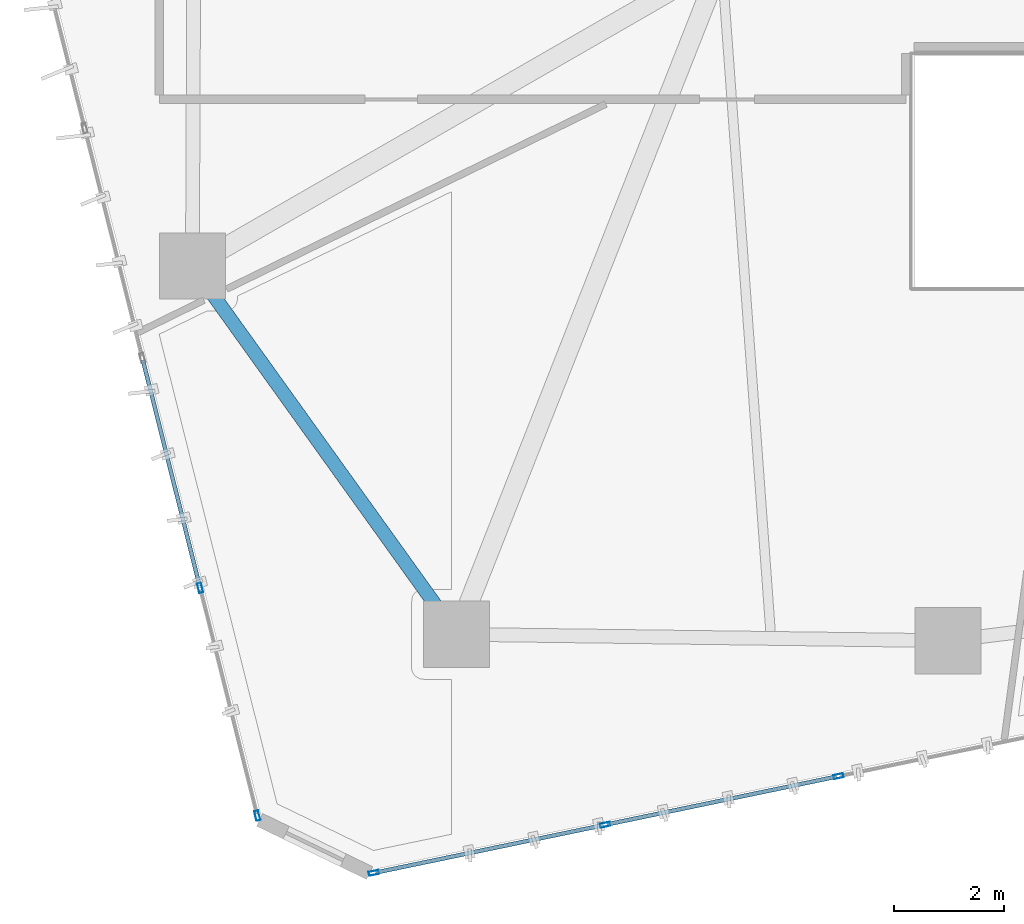
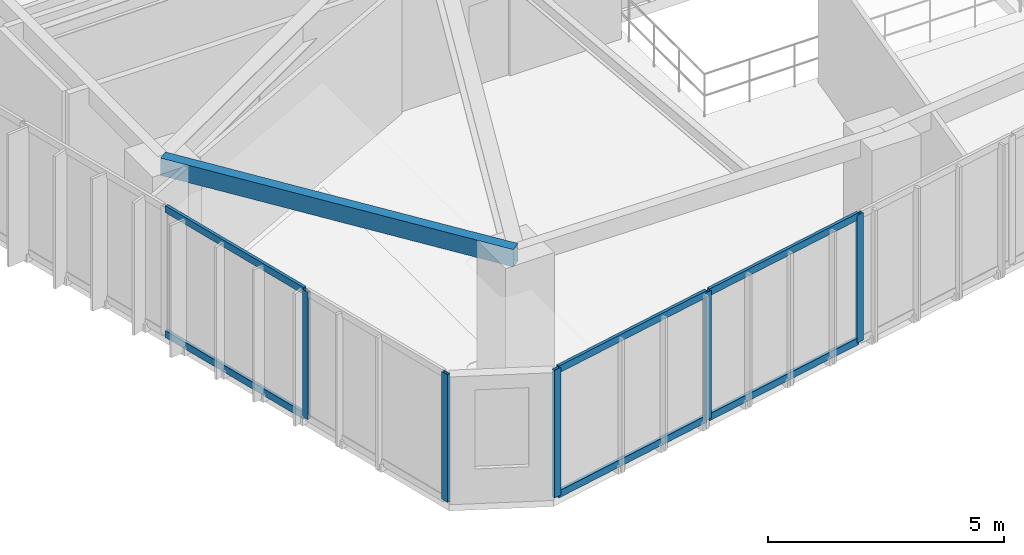
# One storey, part 2 of 22: 11 members, 1 beam, 2 elements without a shape of their own.
"""IFC4 building model written with IfcOpenShell, lengths in metres."""

from ifc_helpers import new_model, si_unit, direction, frame, origin, origin_2d, place, context, subcontext, project, spatial, hollow_rectangle, extrude, source, transform, mapped, material, layer, layer_set, material_profile, profile_set, type_object, type_shapes, element, aggregate, save


model = new_model("IFC4")

# Units and contexts
model_context = context("Model", 3, precision=1e-05, world=origin(), true_north=direction((0.0, 1.0)))
body_context = subcontext(model_context, "Body", "Model", "MODEL_VIEW")
ifc_project = project(units=[si_unit("LENGTHUNIT", "METRE"), si_unit("AREAUNIT", "SQUARE_METRE"), si_unit("VOLUMEUNIT", "CUBIC_METRE"), si_unit("PLANEANGLEUNIT", "RADIAN"), si_unit("MASSUNIT", "GRAM", prefix="KILO")], contexts=[model_context])

# Site, building, storey
site_placement = place(None, origin())
site = spatial("IfcSite", under=ifc_project, at=site_placement, CompositionType="ELEMENT")
building_placement = place(site_placement, origin())
building = spatial("IfcBuilding", under=site, at=building_placement, Name="Talar Marvaseh", CompositionType="ELEMENT")
storey_placement = place(building_placement, frame((0.0, 0.0, 125.39990234375)))
storey = spatial("IfcBuildingStorey", under=building, at=storey_placement, Name="L32", CompositionType="ELEMENT", Elevation=125.39990234375)

# Beam
ifc_material_1 = material(Name="Steel S355", Category="steel")
ifc_material_profile_1 = material_profile(ifc_material_1, hollow_rectangle(XDim=0.25, YDim=0.449951171875, WallThickness=0.01611328125, at=origin_2d()), Name="RHS450x250x16")
ifc_profile_set_1 = profile_set([ifc_material_profile_1], Name="Steel S355")
beam_type = type_object("IfcBeamType", Name="Zone 2 Perimeter Spandrel Beam RHS450x250x16", PredefinedType="SPANDREL", material=ifc_profile_set_1)
beam_placement = place(storey_placement, frame((13.89111328125, 13.299072265625, 3.085205078125), z_axis=(-0.582852871994, 0.812577706812, 0.0), x_axis=(-0.812577706812, -0.582852871994, 0.0)))
element("IfcBeam", 1, at=beam_placement, inside=storey, type_object=beam_type, Name="L32 Zone 2 Perimeter Spandrel Beam RHS450x250x16", PredefinedType="SPANDREL", context=body_context, shape_type="SweptSolid", body=[
    extrude(hollow_rectangle(XDim=0.25, YDim=0.449951171875, WallThickness=0.01611328125, at=origin_2d()), origin(), (0.0, 0.0, 1.0), 8.21826171875),
])

# Curtain wall, members
ifc_material_2 = material(Name="Architectural Aluminium", Category="aluminium")
ifc_layer = layer(ifc_material_2, 0.199951171875)
ifc_layer_set = layer_set([ifc_layer], Name="Architectural Aluminium")
curtain_wall_type = type_object("IfcCurtainWallType", Name="Unitised Acoustic Library Curtain Wall Z2", PredefinedType="NOTDEFINED", material=ifc_layer_set)
curtain_wall_1_placement = place(storey_placement, origin())
curtain_wall_1 = element("IfcCurtainWall", 2, at=curtain_wall_1_placement, inside=storey, type_object=curtain_wall_type, Name="L32 Unitised Acoustic Library Curtain Wall Z2", PredefinedType="NOTDEFINED")
ifc_material_profile_2 = material_profile(ifc_material_2, hollow_rectangle(XDim=0.074951171875, YDim=0.179931640625, WallThickness=0.0048828125, at=origin_2d()), Name="RHS180x75x5")
ifc_profile_set_2 = profile_set([ifc_material_profile_2], Name="Architectural Aluminium")
member_type_1 = type_object("IfcMemberType", Name="Unitised Curtain Wall Standard Mullion RHS180x75x5", PredefinedType="MULLION", material=ifc_profile_set_2)
shared_shape_1 = source(origin(), body_context, "Body", "SweptSolid", [
    extrude(hollow_rectangle(XDim=0.074951171875, YDim=0.179931640625, WallThickness=0.0048828125, at=origin_2d()), origin(), (0.0, 0.0, 1.0), 3.31005859375),
])
type_shapes(member_type_1, [shared_shape_1])
member_1_placement = place(storey_placement, frame((10.279052734375, 10.009521484375, 0.0), z_axis=(0.0, 0.0, 1.0), x_axis=(-0.96988842573, -0.243549669748, 0.0)))
member_1 = element("IfcMember", 3, at=member_1_placement, type_object=member_type_1, Name="CW-Z2 mullion 1", PredefinedType="MULLION", context=body_context, shape_type="MappedRepresentation", body=[
    mapped(shared_shape_1, transform((0.0, 0.0, 0.0), x_axis=(1.0, 0.0, 0.0), y_axis=(0.0, 1.0, 0.0), z_axis=(0.0, 0.0, 1.0), scale=1.0)),
])
member_2_placement = place(storey_placement, frame((9.241455078125, 14.1416015625, 0.0), z_axis=(0.0, 0.0, 1.0), x_axis=(-0.96988842573, -0.243549669748, 0.0)))
member_2 = element("IfcMember", 4, at=member_2_placement, type_object=member_type_1, Name="CW-Z2 mullion 2", PredefinedType="MULLION", context=body_context, shape_type="MappedRepresentation", body=[
    mapped(shared_shape_1, transform((0.0, 0.0, 0.0), x_axis=(1.0, 0.0, 0.0), y_axis=(0.0, 1.0, 0.0), z_axis=(0.0, 0.0, 1.0), scale=1.0)),
])

curtain_wall_2_placement = place(storey_placement, origin())
curtain_wall_2 = element("IfcCurtainWall", 5, at=curtain_wall_2_placement, inside=storey, type_object=curtain_wall_type, Name="L32 Unitised Acoustic Library Curtain Wall Z2", PredefinedType="NOTDEFINED")
member_3_placement = place(storey_placement, frame((20.8193359375, 10.7255859375, 0.0), z_axis=(0.0, 0.0, 1.0), x_axis=(0.203791692408, -0.979014272677, 0.0)))
member_3 = element("IfcMember", 6, at=member_3_placement, type_object=member_type_1, Name="CW-Z2 mullion 4", PredefinedType="MULLION", context=body_context, shape_type="MappedRepresentation", body=[
    mapped(shared_shape_1, transform((0.0, 0.0, 0.0), x_axis=(1.0, 0.0, 0.0), y_axis=(0.0, 1.0, 0.0), z_axis=(0.0, 0.0, 1.0), scale=1.0)),
])
member_4_placement = place(storey_placement, frame((16.58642578125, 9.844482421875, 0.0), z_axis=(0.0, 0.0, 1.0), x_axis=(0.203791692408, -0.979014272677, 0.0)))
member_4 = element("IfcMember", 7, at=member_4_placement, type_object=member_type_1, Name="CW-Z2 mullion 5", PredefinedType="MULLION", context=body_context, shape_type="MappedRepresentation", body=[
    mapped(shared_shape_1, transform((0.0, 0.0, 0.0), x_axis=(1.0, 0.0, 0.0), y_axis=(0.0, 1.0, 0.0), z_axis=(0.0, 0.0, 1.0), scale=1.0)),
])
member_5_placement = place(storey_placement, frame((12.390380859375, 8.970947265625, 0.0), z_axis=(0.0, 0.0, 1.0), x_axis=(0.203791692408, -0.979014272677, 0.0)))
member_5 = element("IfcMember", 8, at=member_5_placement, type_object=member_type_1, Name="CW-Z2 mullion 6", PredefinedType="MULLION", context=body_context, shape_type="MappedRepresentation", body=[
    mapped(shared_shape_1, transform((0.0, 0.0, 0.0), x_axis=(1.0, 0.0, 0.0), y_axis=(0.0, 1.0, 0.0), z_axis=(0.0, 0.0, 1.0), scale=1.0)),
])

# Member
ifc_material_profile_3 = material_profile(ifc_material_2, hollow_rectangle(XDim=0.074951171875, YDim=0.179931640625, WallThickness=0.0048828125, at=origin_2d()), Name="RHS180x75x5")
ifc_profile_set_3 = profile_set([ifc_material_profile_3], Name="Architectural Aluminium")
member_type_2 = type_object("IfcMemberType", Name="Unitised Curtain Wall Transom RHS180x75x5", PredefinedType="USERDEFINED", material=ifc_profile_set_3)
shared_shape_2 = source(origin(), body_context, "Body", "SweptSolid", [
    extrude(hollow_rectangle(XDim=0.074951171875, YDim=0.179931640625, WallThickness=0.0048828125, at=origin_2d()), origin(), (0.0, 0.0, 1.0), 4.222900390625),
])
member_6_placement = place(storey_placement, frame((9.232177734375, 14.177978515625, 0.03759765625), z_axis=(-0.243569333221, 0.969883487804, 0.0), x_axis=(-0.969883487804, -0.243569333221, 0.0)))
member_6 = element("IfcMember", 9, at=member_6_placement, type_object=member_type_2, Name="CW-Z2 transom 2.1", ObjectType="TRANSOM", PredefinedType="USERDEFINED", context=body_context, shape_type="MappedRepresentation", body=[
    mapped(shared_shape_2, transform((0.0, 0.0, 0.0), x_axis=(1.0, 0.0, 0.0), y_axis=(0.0, 1.0, 0.0), z_axis=(0.0, 0.0, 1.0), scale=1.0)),
])

member_7_placement = place(storey_placement, frame((9.232177734375, 14.177978515625, 3.272705078125), z_axis=(-0.243569333221, 0.969883487804, 0.0), x_axis=(-0.969883487804, -0.243569333221, 0.0)))
member_7 = element("IfcMember", 10, at=member_7_placement, type_object=member_type_2, Name="CW-Z2 transom 2.2", ObjectType="TRANSOM", PredefinedType="USERDEFINED", context=body_context, shape_type="MappedRepresentation", body=[
    mapped(shared_shape_2, transform((0.0, 0.0, 0.0), x_axis=(1.0, 0.0, 0.0), y_axis=(0.0, 1.0, 0.0), z_axis=(0.0, 0.0, 1.0), scale=1.0)),
])

aggregate(curtain_wall_1, [member_1, member_2, member_6, member_7])

shared_shape_3 = source(origin(), body_context, "Body", "SweptSolid", [
    extrude(hollow_rectangle(XDim=0.074951171875, YDim=0.179931640625, WallThickness=0.0048828125, at=origin_2d()), origin(), (0.0, 0.0, 1.0), 4.2109375),
])
member_8_placement = place(storey_placement, frame((16.5498046875, 9.8369140625, 0.03759765625), z_axis=(-0.979014170468, -0.203792183418, 0.0), x_axis=(0.203792183418, -0.979014170468, 0.0)))
member_8 = element("IfcMember", 11, at=member_8_placement, type_object=member_type_2, Name="CW-Z2 transom 5.1", ObjectType="TRANSOM", PredefinedType="USERDEFINED", context=body_context, shape_type="MappedRepresentation", body=[
    mapped(shared_shape_3, transform((0.0, 0.0, 0.0), x_axis=(1.0, 0.0, 0.0), y_axis=(0.0, 1.0, 0.0), z_axis=(0.0, 0.0, 1.0), scale=1.0)),
])

member_9_placement = place(storey_placement, frame((16.5498046875, 9.8369140625, 3.272705078125), z_axis=(-0.979014170468, -0.203792183418, 0.0), x_axis=(0.203792183418, -0.979014170468, 0.0)))
member_9 = element("IfcMember", 12, at=member_9_placement, type_object=member_type_2, Name="CW-Z2 transom 5.2", ObjectType="TRANSOM", PredefinedType="USERDEFINED", context=body_context, shape_type="MappedRepresentation", body=[
    mapped(shared_shape_3, transform((0.0, 0.0, 0.0), x_axis=(1.0, 0.0, 0.0), y_axis=(0.0, 1.0, 0.0), z_axis=(0.0, 0.0, 1.0), scale=1.0)),
])

shared_shape_4 = source(origin(), body_context, "Body", "SweptSolid", [
    extrude(hollow_rectangle(XDim=0.074951171875, YDim=0.179931640625, WallThickness=0.0048828125, at=origin_2d()), origin(), (0.0, 0.0, 1.0), 4.248291015625),
])
type_shapes(member_type_2, [shared_shape_2, shared_shape_3, shared_shape_4])
member_10_placement = place(storey_placement, frame((20.782470703125, 10.718017578125, 0.03759765625), z_axis=(-0.979005273332, -0.203834920434, 0.0), x_axis=(0.203834920434, -0.979005273332, 0.0)))
member_10 = element("IfcMember", 13, at=member_10_placement, type_object=member_type_2, Name="CW-Z2 transom 4.1", ObjectType="TRANSOM", PredefinedType="USERDEFINED", context=body_context, shape_type="MappedRepresentation", body=[
    mapped(shared_shape_4, transform((0.0, 0.0, 0.0), x_axis=(1.0, 0.0, 0.0), y_axis=(0.0, 1.0, 0.0), z_axis=(0.0, 0.0, 1.0), scale=1.0)),
])

member_11_placement = place(storey_placement, frame((20.782470703125, 10.718017578125, 3.272705078125), z_axis=(-0.979005273332, -0.203834920434, 0.0), x_axis=(0.203834920434, -0.979005273332, 0.0)))
member_11 = element("IfcMember", 14, at=member_11_placement, type_object=member_type_2, Name="CW-Z2 transom 4.2", ObjectType="TRANSOM", PredefinedType="USERDEFINED", context=body_context, shape_type="MappedRepresentation", body=[
    mapped(shared_shape_4, transform((0.0, 0.0, 0.0), x_axis=(1.0, 0.0, 0.0), y_axis=(0.0, 1.0, 0.0), z_axis=(0.0, 0.0, 1.0), scale=1.0)),
])

aggregate(curtain_wall_2, [member_3, member_4, member_5, member_10, member_11, member_8, member_9])

save(model, "model.ifc")
